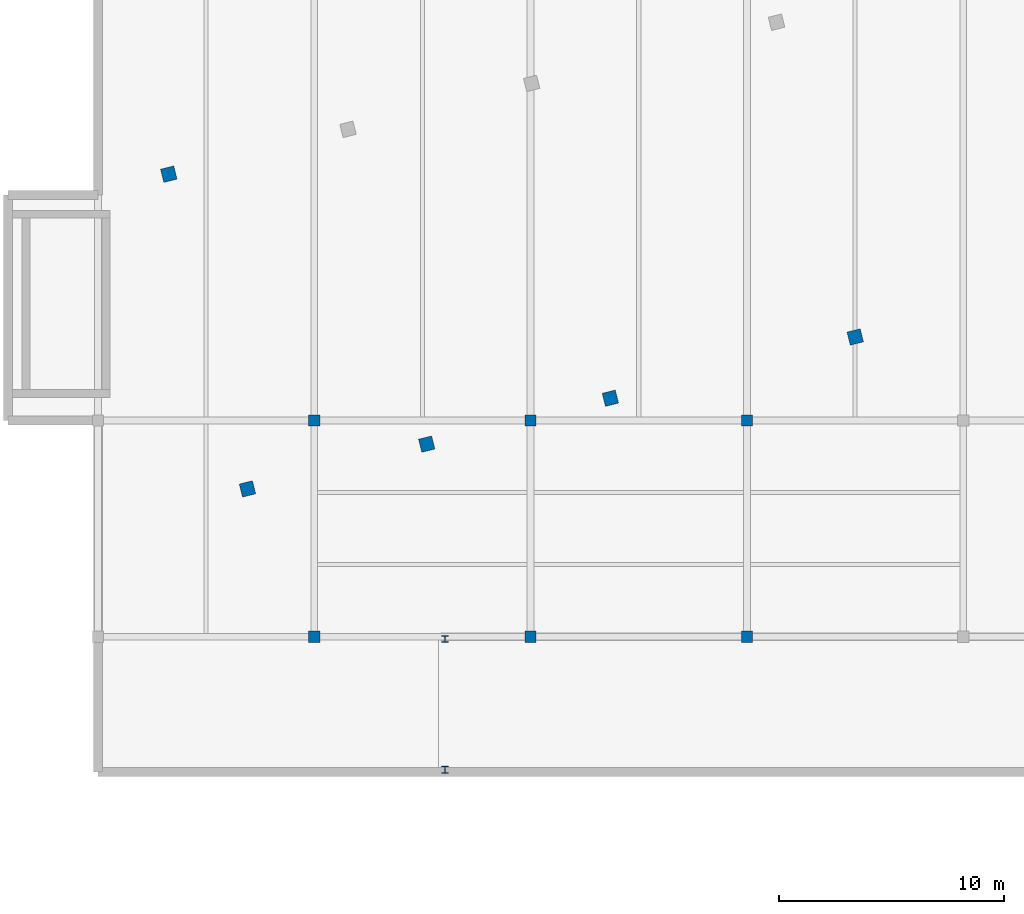
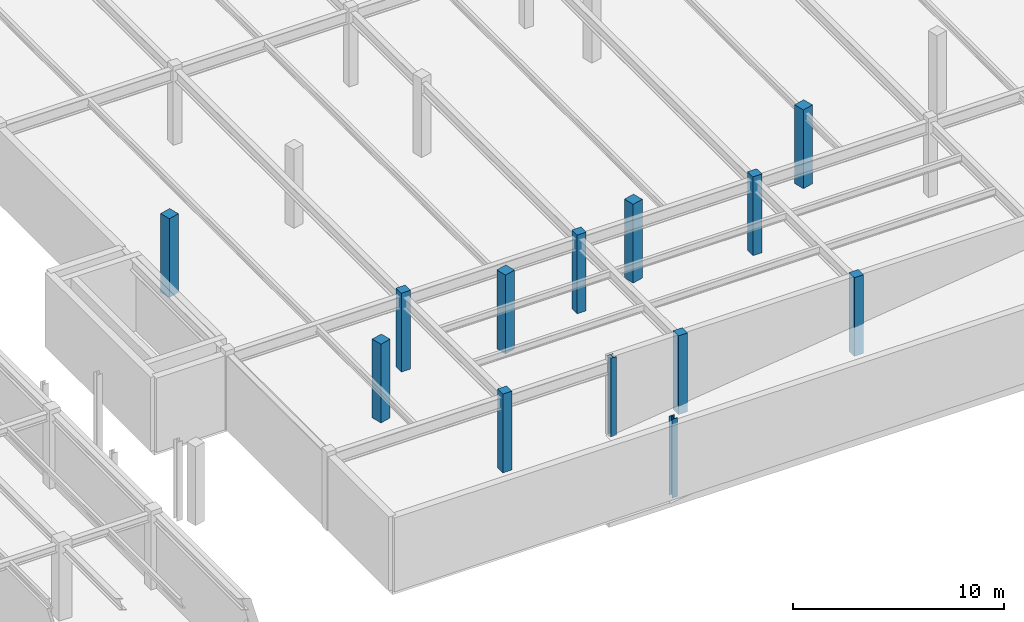
# One storey, part 2 of 32: 13 columns.
"""IFC4 building model written with IfcOpenShell, lengths in metres."""

import ifcopenshell
import ifcopenshell.guid

model = None  # the IFC model being written
_history = None  # IfcOwnerHistory: only IFC2X3 demands one
_inside = {}  # id of a spatial element -> (the spatial element, [elements in it])
_under = {}  # id of a project, library or spatial element -> (it, [spatial elements below it])
_declared = {}  # id of a project -> (the project, [libraries it declares])
_typed = {}  # id of a type object -> (the type object, [elements of that type])
_made_of = {}  # id of a material, layer set ... -> (it, [elements and type objects made of it])


def new_model(schema):
    """Start an empty IFC model of exactly this schema.

    Asked for "IFC4X3", IfcOpenShell would pick the latest addendum, in which some entities
    have other attributes; the version numbers below select the first issue.
    IFC2X3 requires an IfcOwnerHistory on every rooted entity: one is made here for all.
    """
    global model, _history
    if schema == "IFC4X3":
        model = ifcopenshell.file(schema_version=(4, 3, 0, 0))
    else:
        model = ifcopenshell.file(schema=schema)
    _inside.clear()
    _under.clear()
    _declared.clear()
    _typed.clear()
    _made_of.clear()
    _history = None
    if model.schema == "IFC2X3":
        org = make("IfcOrganization", Name="unknown")
        user = make(
            "IfcPersonAndOrganization",
            ThePerson=make("IfcPerson", FamilyName="unknown"),
            TheOrganization=org,
        )
        app = make(
            "IfcApplication",
            ApplicationDeveloper=org,
            Version="unknown",
            ApplicationFullName="unknown",
            ApplicationIdentifier="unknown",
        )
        _history = make(
            "IfcOwnerHistory",
            OwningUser=user,
            OwningApplication=app,
            ChangeAction="ADDED",
            CreationDate=0,
        )
    return model


def make(cls, **values):
    """One entity of the class cls with the attributes given. An attribute that is None is left unset."""
    return model.create_entity(
        cls, **{name: value for name, value in values.items() if value is not None}
    )


def rooted(cls, **values):
    """An entity with a GlobalId (a new one), such as an element, a storey or a relation."""
    return make(cls, GlobalId=ifcopenshell.guid.new(), OwnerHistory=_history, **values)


def si_unit(unit_type, name, prefix=None):
    """IfcSIUnit, for example si_unit("LENGTHUNIT", "METRE", prefix="MILLI")."""
    return make("IfcSIUnit", UnitType=unit_type, Prefix=prefix, Name=name)


def assignment(units):
    """IfcUnitAssignment: the units of a project."""
    return None if units is None else make("IfcUnitAssignment", Units=units)


def point(xyz):
    """IfcCartesianPoint."""
    return None if xyz is None else make("IfcCartesianPoint", Coordinates=xyz)


def direction(xyz):
    """IfcDirection."""
    return None if xyz is None else make("IfcDirection", DirectionRatios=xyz)


def frame(location, z_axis=None, x_axis=None):
    """IfcAxis2Placement3D, a coordinate frame: its origin and axes. An axis left out is left unset."""
    return make(
        "IfcAxis2Placement3D",
        Location=point(location),
        Axis=direction(z_axis),
        RefDirection=direction(x_axis),
    )


def frame_2d(location, x_axis=None):
    """IfcAxis2Placement2D, a coordinate frame in the plane: its origin and x axis."""
    return make(
        "IfcAxis2Placement2D", Location=point(location), RefDirection=direction(x_axis)
    )


def origin():
    """The frame at (0, 0, 0) with its axes left unset."""
    return frame((0.0, 0.0, 0.0))


def origin_2d():
    """The frame at (0, 0) in the plane with its x axis left unset."""
    return frame_2d((0.0, 0.0))


def place(relative_to, where):
    """IfcLocalPlacement: puts the frame where relative to a parent placement (None: the world)."""
    return make(
        "IfcLocalPlacement", PlacementRelTo=relative_to, RelativePlacement=where
    )


def context(
    kind, dimensions, precision=None, world=None, true_north=None, identifier=None
):
    """IfcGeometricRepresentationContext, for example the 3D "Model" context."""
    return make(
        "IfcGeometricRepresentationContext",
        ContextIdentifier=identifier,
        ContextType=kind,
        CoordinateSpaceDimension=dimensions,
        Precision=precision,
        WorldCoordinateSystem=world,
        TrueNorth=true_north,
    )


def subcontext(parent, identifier, kind, view, scale=None):
    """IfcGeometricRepresentationSubContext, for example "Body" below "Model"."""
    return make(
        "IfcGeometricRepresentationSubContext",
        ContextIdentifier=identifier,
        ContextType=kind,
        ParentContext=parent,
        TargetScale=scale,
        TargetView=view,
    )


def project(units=None, contexts=None):
    """IfcProject with its units and contexts."""
    return rooted(
        "IfcProject",
        Name="project",
        RepresentationContexts=contexts,
        UnitsInContext=assignment(units),
    )


def spatial(cls, under=None, at=None, **own):
    """A site, building, storey or space (cls), placed at a placement, below another one or the project."""
    s = rooted(cls, ObjectPlacement=at, **own)
    if under is not None:
        _under.setdefault(under.id(), (under, []))[1].append(s)
    return s


def profile(cls, at=None, kind="AREA", **sizes):
    """A parametric profile (cls). Its sizes go by their IFC names, for example OverallWidth=200.0."""
    return make(cls, ProfileType=kind, Position=at, **sizes)


def rectangle(**sizes):
    """IfcRectangleProfileDef."""
    return profile("IfcRectangleProfileDef", **sizes)


def i_section(**sizes):
    """IfcIShapeProfileDef."""
    return profile("IfcIShapeProfileDef", **sizes)


def extrude(swept, where, along, depth):
    """IfcExtrudedAreaSolid: the profile swept, set in the frame where, extruded along a direction by depth."""
    return make(
        "IfcExtrudedAreaSolid",
        SweptArea=swept,
        Position=where,
        ExtrudedDirection=direction(along),
        Depth=depth,
    )


def shape(context_of_items, identifier, shape_type, items):
    """IfcShapeRepresentation: the items that make up one representation, for example the "Body"."""
    return make(
        "IfcShapeRepresentation",
        ContextOfItems=context_of_items,
        RepresentationIdentifier=identifier,
        RepresentationType=shape_type,
        Items=items,
    )


def material(Name=None, Category=None):
    """IfcMaterial."""
    return make("IfcMaterial", Name=Name, Category=Category)


def material_profile(
    of_material, cross_section, Name=None, Category=None, Priority=None
):
    """IfcMaterialProfile: a cross section and its material."""
    return make(
        "IfcMaterialProfile",
        Name=Name,
        Material=of_material,
        Profile=cross_section,
        Priority=Priority,
        Category=Category,
    )


def profile_set(profiles, Name=None, composite=None):
    """IfcMaterialProfileSet."""
    return make(
        "IfcMaterialProfileSet",
        Name=Name,
        MaterialProfiles=profiles,
        CompositeProfile=composite,
    )


def made_of(thing, what):
    """Note that an element or type object is made of a material, layer set ...; save() writes the relation."""
    if what is not None:
        _made_of.setdefault(what.id(), (what, []))[1].append(thing)
    return thing


def type_object(cls, material=None, **own):
    """A type object (cls), such as IfcWallType, which elements share."""
    return made_of(rooted(cls, **own), material)


def element(
    cls,
    number,
    at=None,
    inside=None,
    cuts=None,
    type_object=None,
    material=None,
    context=None,
    identifier="Body",
    shape_type=None,
    held_by="IfcProductDefinitionShape",
    body=None,
    shapes=None,
    **own,
):
    """One element of the class cls, such as IfcWall. Its Tag is "e" and its number.

    at: its placement. inside: the storey or other place that contains it. cuts: it is an
    opening in that element (IfcRelVoidsElement). A single representation is given by context,
    identifier, shape_type and body (its items); several are given by shapes. held_by: the class
    of the entity that holds the representations. save() writes the other relations.
    """
    e = rooted(cls, Tag="e%d" % number, ObjectPlacement=at, **own)
    if body is not None:
        shapes = [shape(context, identifier, shape_type, body)]
    if shapes is not None:
        e.Representation = make(held_by, Representations=shapes)
    if inside is not None:
        _inside.setdefault(inside.id(), (inside, []))[1].append(e)
    if cuts is not None:
        rooted(
            "IfcRelVoidsElement", RelatingBuildingElement=cuts, RelatedOpeningElement=e
        )
    if type_object is not None:
        _typed.setdefault(type_object.id(), (type_object, []))[1].append(e)
    return made_of(e, material)


def aggregate(whole, parts):
    """IfcRelAggregates: a whole, such as a stair, and the parts it consists of."""
    return rooted("IfcRelAggregates", RelatingObject=whole, RelatedObjects=parts)


def save(model, path):
    """Write the relations noted so far, then the file.

    IfcRelAggregates (storeys below a building ...), IfcRelContainedInSpatialStructure (elements
    in a storey), IfcRelDefinesByType, IfcRelAssociatesMaterial and IfcRelDeclares: one each for
    every whole, place, type object, material and project.
    """
    for whole, parts in _under.values():
        aggregate(whole, parts)
    for where, things in _inside.values():
        rooted(
            "IfcRelContainedInSpatialStructure",
            RelatedElements=things,
            RelatingStructure=where,
        )
    for kind, things in _typed.values():
        rooted("IfcRelDefinesByType", RelatedObjects=things, RelatingType=kind)
    for what, things in _made_of.values():
        rooted("IfcRelAssociatesMaterial", RelatedObjects=things, RelatingMaterial=what)
    for by, libraries in _declared.values():
        rooted("IfcRelDeclares", RelatingContext=by, RelatedDefinitions=libraries)
    model.write(path)


model = new_model("IFC4")

# Units and contexts
model_context = context("Model", 3, precision=1e-05, world=origin(), true_north=direction((0.0, 1.0)))
body_context = subcontext(model_context, "Body", "Model", "MODEL_VIEW")
ifc_project = project(units=[si_unit("LENGTHUNIT", "METRE"), si_unit("AREAUNIT", "SQUARE_METRE"), si_unit("VOLUMEUNIT", "CUBIC_METRE"), si_unit("PLANEANGLEUNIT", "RADIAN"), si_unit("MASSUNIT", "GRAM", prefix="KILO")], contexts=[model_context])

# Site, building, storey
site_placement = place(None, origin())
site = spatial("IfcSite", under=ifc_project, at=site_placement, CompositionType="ELEMENT")
building_placement = place(site_placement, origin())
building = spatial("IfcBuilding", under=site, at=building_placement, Name="Nordkorset Police Headquarters", CompositionType="ELEMENT")
storey_placement = place(building_placement, frame((0.0, 0.0, -4.550048828125)))
storey = spatial("IfcBuildingStorey", under=building, at=storey_placement, Name="B01", CompositionType="ELEMENT", Elevation=-4.550048828125)

# Columns
ifc_material_1 = material(Name="Steel S355J2", Category="steel")
ifc_material_profile_1 = material_profile(ifc_material_1, i_section(OverallWidth=0.300048828125, OverallDepth=0.300048828125, WebThickness=0.010986328125, FlangeThickness=0.01904296875, FilletRadius=0.027099609375, at=origin_2d()), Name="HEB 300")
ifc_profile_set_1 = profile_set([ifc_material_profile_1], Name="Steel S355J2")
column_type_1 = type_object("IfcColumnType", Name="Col_HEB_300", PredefinedType="COLUMN", material=ifc_profile_set_1)
for number, where, z_axis, x_axis, name in (
    (1, (44.199951171875, 32.5, 0.0), (0.0, 0.0, 1.0), (1.0, 0.0, 0.0), "Ramp Hood Pier B01 1"),
    (2, (44.199951171875, 38.300048828125, 0.0), (0.0, 0.0, 1.0), (1.0, 0.0, 0.0), "Ramp Hood Pier B01 3"),
):
    element("IfcColumn", number, at=place(storey_placement, frame(where, z_axis=z_axis, x_axis=x_axis)), inside=storey, type_object=column_type_1, Name=name, PredefinedType="COLUMN", context=body_context, shape_type="SweptSolid", body=[
        extrude(i_section(OverallWidth=0.300048828125, OverallDepth=0.300048828125, WebThickness=0.010986328125, FlangeThickness=0.01904296875, FilletRadius=0.027099609375, at=origin_2d()), origin(), (0.0, 0.0, 1.0), 4.550048828125),
    ])
ifc_material_2 = material(Name="Concrete C45/55", Category="concrete")
ifc_material_profile_2 = material_profile(ifc_material_2, rectangle(XDim=0.5, YDim=0.5, at=origin_2d()), Name="RC 500x500")
ifc_profile_set_2 = profile_set([ifc_material_profile_2], Name="Concrete C45/55")
column_type_2 = type_object("IfcColumnType", Name="Col_RC_500x500", PredefinedType="COLUMN", material=ifc_profile_set_2)
for number, where, z_axis, x_axis, name in (
    (3, (38.39990234375, 38.39990234375, 0.0), (0.0, 0.0, 1.0), (1.0, 0.0, 0.0), "Structural Column SUB_C_1_0 B01"),
    (4, (38.39990234375, 48.0, 0.0), (0.0, 0.0, 1.0), (1.0, 0.0, 0.0), "Structural Column SUB_C_1_1 B01"),
    (5, (48.0, 38.39990234375, 0.0), (0.0, 0.0, 1.0), (1.0, 0.0, 0.0), "Structural Column SUB_C_2_0 B01"),
    (6, (48.0, 48.0, 0.0), (0.0, 0.0, 1.0), (1.0, 0.0, 0.0), "Structural Column SUB_C_2_1 B01"),
    (7, (57.60009765625, 38.39990234375, 0.0), (0.0, 0.0, 1.0), (1.0, 0.0, 0.0), "Structural Column SUB_C_3_0 B01"),
    (8, (57.60009765625, 48.0, 0.0), (0.0, 0.0, 1.0), (1.0, 0.0, 0.0), "Structural Column SUB_C_3_1 B01"),
):
    element("IfcColumn", number, at=place(storey_placement, frame(where, z_axis=z_axis, x_axis=x_axis)), inside=storey, type_object=column_type_2, Name=name, PredefinedType="COLUMN", context=body_context, shape_type="SweptSolid", body=[
        extrude(rectangle(XDim=0.5, YDim=0.5, at=origin_2d()), origin(), (0.0, 0.0, 1.0), 4.550048828125),
    ])
ifc_material_3 = material(Name="Concrete C45/55", Category="concrete")
ifc_material_profile_3 = material_profile(ifc_material_3, rectangle(XDim=0.60009765625, YDim=0.60009765625, at=origin_2d()), Name="RC 600x600")
ifc_profile_set_3 = profile_set([ifc_material_profile_3], Name="Concrete C45/55")
column_type_3 = type_object("IfcColumnType", Name="Col_RC_600x600", PredefinedType="COLUMN", material=ifc_profile_set_3)
for number, where, z_axis, x_axis, name in (
    (9, (35.435791015625, 44.958984375, 0.0), (0.0, 0.0, 1.0), (0.970142500145, 0.242535625038, 0.0), "Structural Column V4_U1_V0 B01"),
    (10, (31.943115234375, 58.928955078125, 0.0), (0.0, 0.0, 1.0), (0.970142500145, 0.242535625038, 0.0), "Structural Column V4_U1_V1 B01"),
    (11, (43.390869140625, 46.94775390625, 0.0), (0.0, 0.0, 1.0), (0.970142500145, 0.242535625038, 0.0), "Structural Column V4_U2_V0 B01"),
    (12, (51.5400390625, 48.985107421875, 0.0), (0.0, 0.0, 1.0), (0.970142500145, 0.242535625038, 0.0), "Structural Column V4_U3_V0 B01"),
    (13, (62.40576171875, 51.701416015625, 0.0), (0.0, 0.0, 1.0), (0.970142500145, 0.242535625038, 0.0), "Structural Column V4_U4_V0 B01"),
):
    element("IfcColumn", number, at=place(storey_placement, frame(where, z_axis=z_axis, x_axis=x_axis)), inside=storey, type_object=column_type_3, Name=name, PredefinedType="COLUMN", context=body_context, shape_type="SweptSolid", body=[
        extrude(rectangle(XDim=0.60009765625, YDim=0.60009765625, at=origin_2d()), origin(), (0.0, 0.0, 1.0), 4.550048828125),
    ])

save(model, "model.ifc")
